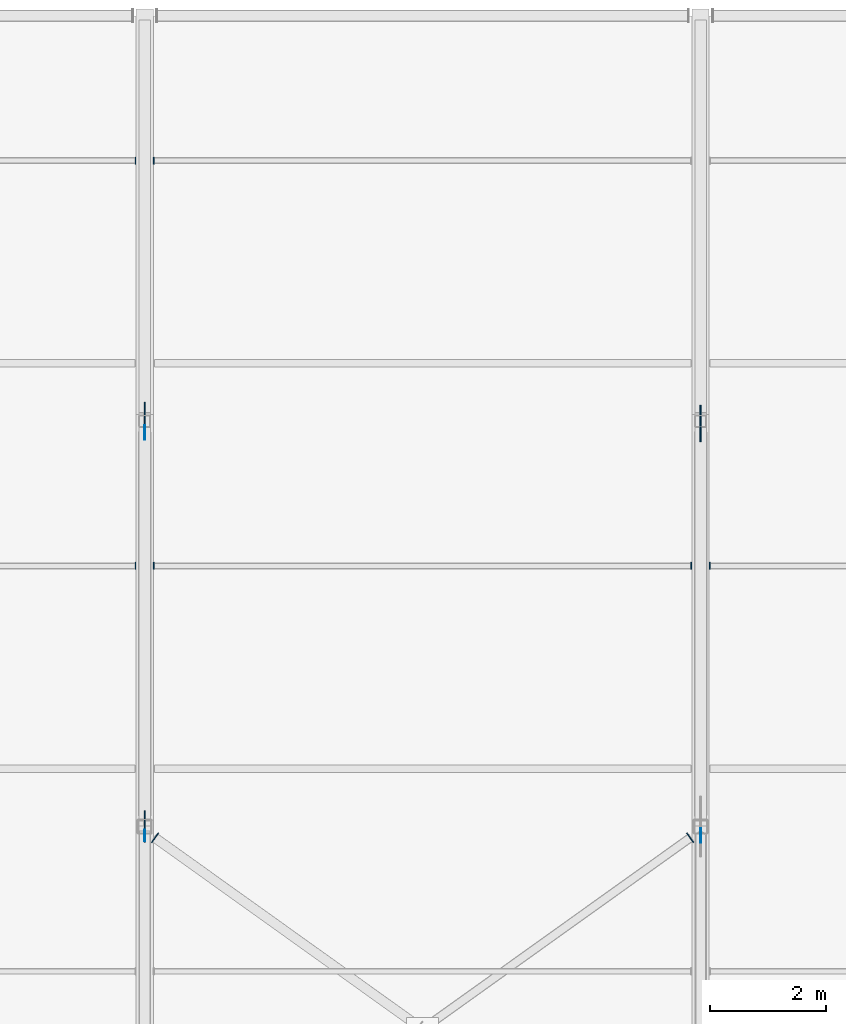
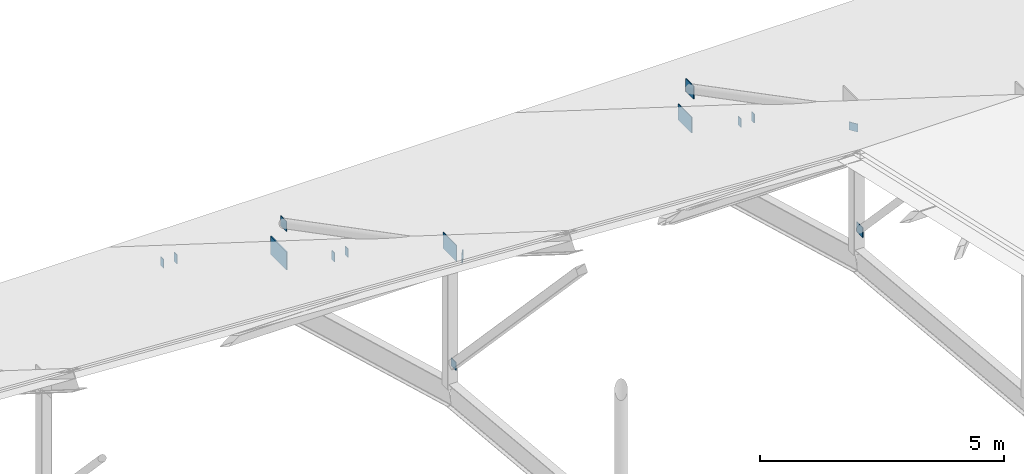
# One storey, part 52 of 66: 15 plates.
"""IFC4 building model written with IfcOpenShell, lengths in metres."""

from ifc_helpers import new_model, si_unit, direction, frame, origin, origin_2d, place, context, subcontext, project, spatial, rectangle, extrude, material, layer, layer_set, type_object, element, save


model = new_model("IFC4")

# Units and contexts
model_context = context("Model", 3, precision=1e-05, world=origin(), true_north=direction((0.0, 1.0)))
body_context = subcontext(model_context, "Body", "Model", "MODEL_VIEW")
ifc_project = project(units=[si_unit("LENGTHUNIT", "METRE"), si_unit("AREAUNIT", "SQUARE_METRE"), si_unit("VOLUMEUNIT", "CUBIC_METRE"), si_unit("PLANEANGLEUNIT", "RADIAN"), si_unit("MASSUNIT", "GRAM", prefix="KILO")], contexts=[model_context])

# Site, building, storey
site_placement = place(None, origin())
site = spatial("IfcSite", under=ifc_project, at=site_placement, CompositionType="ELEMENT")
building_placement = place(site_placement, origin())
building = spatial("IfcBuilding", under=site, at=building_placement, Name="Yeouljin Market Hall", CompositionType="ELEMENT")
storey_placement = place(building_placement, frame((0.0, 0.0, 23.39990234375)))
storey = spatial("IfcBuildingStorey", under=building, at=storey_placement, Name="RF", CompositionType="ELEMENT", Elevation=23.39990234375)

# Plates
ifc_material_1 = material(Name="Steel SM355", Category="steel")
ifc_layer_1 = layer(ifc_material_1, 0.01611328125)
ifc_layer_set_1 = layer_set([ifc_layer_1], Name="Steel SM355")
plate_type_1 = type_object("IfcPlateType", Name="CapPlate_200x200x16", PredefinedType="SHEET", material=ifc_layer_set_1)
for number, where, z_axis, x_axis, name in (
    (1, (64.199951171875, 63.848876953125, -6.43994140625), (0.0, 0.0, 1.0), (0.0, 1.0, 0.0), "Hollow web end-cap plate 0015"),
    (2, (73.6201171875, 63.80419921875, -3.78271484375), (0.0, 0.0, 1.0), (-0.581697151818, 0.813405448449, 0.0), "Wind brace end-cap plate 0128"),
    (3, (64.3798828125, 63.80419921875, -3.78271484375), (0.0, 0.0, 1.0), (0.581697151818, 0.813405448449, 0.0), "Wind brace end-cap plate 0129"),
):
    element("IfcPlate", number, at=place(storey_placement, frame(where, z_axis=z_axis, x_axis=x_axis)), inside=storey, type_object=plate_type_1, Name=name, PredefinedType="SHEET", context=body_context, shape_type="SweptSolid", body=[
        extrude(rectangle(XDim=0.199951171875, YDim=0.01611328125, at=origin_2d()), origin(), (0.0, 0.0, 1.0), 0.199951171875),
    ])
ifc_material_2 = material(Name="Steel SM355", Category="steel")
ifc_layer_2 = layer(ifc_material_2, 0.01611328125)
ifc_layer_set_2 = layer_set([ifc_layer_2], Name="Steel SM355")
plate_type_2 = type_object("IfcPlateType", Name="CapPlate_220x120x16", PredefinedType="SHEET", material=ifc_layer_set_2)
for number, where, z_axis, x_axis, name in (
    (4, (64.0419921875, 68.5, -6.5185546875), (0.0, 0.0, 1.0), (0.0, 1.0, 0.0), "Purlin end-cap plate 0106"),
    (5, (64.0419921875, 75.5, -10.91845703125), (0.0, 0.0, 1.0), (0.0, 1.0, 0.0), "Purlin end-cap plate 0108"),
    (6, (64.35791015625, 68.5, -6.5185546875), (0.0, 0.0, 1.0), (0.0, 1.0, 0.0), "Purlin end-cap plate 0117"),
    (7, (73.64208984375, 68.5, -6.5185546875), (0.0, 0.0, 1.0), (0.0, 1.0, 0.0), "Purlin end-cap plate 0118"),
    (8, (64.35791015625, 75.5, -10.91845703125), (0.0, 0.0, 1.0), (0.0, 1.0, 0.0), "Purlin end-cap plate 0119"),
    (9, (73.9580078125, 68.5, -6.5185546875), (0.0, 0.0, 1.0), (0.0, 1.0, 0.0), "Purlin end-cap plate 0141"),
):
    element("IfcPlate", number, at=place(storey_placement, frame(where, z_axis=z_axis, x_axis=x_axis)), inside=storey, type_object=plate_type_2, Name=name, PredefinedType="SHEET", context=body_context, shape_type="SweptSolid", body=[
        extrude(rectangle(XDim=0.1201171875, YDim=0.01611328125, at=origin_2d()), origin(), (0.0, 0.0, 1.0), 0.219970703125),
    ])
ifc_material_3 = material(Name="Steel SM355", Category="steel")
ifc_layer_3 = layer(ifc_material_3, 0.01611328125)
ifc_layer_set_3 = layer_set([ifc_layer_3], Name="Steel SM355")
plate_type_3 = type_object("IfcPlateType", Name="CapPlate_250x250x16", PredefinedType="SHEET", material=ifc_layer_set_3)
for number, where, z_axis, x_axis, name in (
    (10, (64.199951171875, 70.804931640625, -7.167724609375), (0.0, 0.0, 1.0), (0.0, 1.0, 0.0), "Hollow web end-cap plate 0016"),
    (11, (73.800048828125, 63.848876953125, -6.465087890625), (0.0, 0.0, 1.0), (0.0, 1.0, 0.0), "Hollow web end-cap plate 0019"),
):
    element("IfcPlate", number, at=place(storey_placement, frame(where, z_axis=z_axis, x_axis=x_axis)), inside=storey, type_object=plate_type_3, Name=name, PredefinedType="SHEET", context=body_context, shape_type="SweptSolid", body=[
        extrude(rectangle(XDim=0.25, YDim=0.01611328125, at=origin_2d()), origin(), (0.0, 0.0, 1.0), 0.25),
    ])
ifc_material_4 = material(Name="Steel SM355", Category="steel")
ifc_layer_4 = layer(ifc_material_4, 0.02001953125)
ifc_layer_set_4 = layer_set([ifc_layer_4], Name="Steel SM355")
plate_type_4 = type_object("IfcPlateType", Name="CapPlate_320x320x20", PredefinedType="SHEET", material=ifc_layer_set_4)
plate_1_placement = place(storey_placement, frame((73.800048828125, 70.804931640625, -7.20263671875), z_axis=(0.0, 0.0, 1.0), x_axis=(0.0, 1.0, 0.0)))
element("IfcPlate", 12, at=plate_1_placement, inside=storey, type_object=plate_type_4, Name="Hollow web end-cap plate 0020", PredefinedType="SHEET", context=body_context, shape_type="SweptSolid", body=[
    extrude(rectangle(XDim=0.320068359375, YDim=0.02001953125, at=origin_2d()), origin(), (0.0, 0.0, 1.0), 0.320068359375),
])
ifc_material_5 = material(Name="Steel SM355", Category="steel")
ifc_layer_5 = layer(ifc_material_5, 0.02001953125)
ifc_layer_set_5 = layer_set([ifc_layer_5], Name="Steel SM355")
plate_type_5 = type_object("IfcPlateType", Name="GussetPlate_550x400x20", PredefinedType="USERDEFINED", material=ifc_layer_set_5)
for number, where, z_axis, x_axis, name in (
    (13, (64.199951171875, 64.0, -3.699951171875), (0.0, 0.0, 1.0), (0.0, 1.0, 0.0), "Truss node gusset plate 019"),
    (14, (73.800048828125, 71.0, -8.099853515625), (0.0, 0.0, 1.0), (0.0, 1.0, 0.0), "Truss node gusset plate 025"),
):
    element("IfcPlate", number, at=place(storey_placement, frame(where, z_axis=z_axis, x_axis=x_axis)), inside=storey, type_object=plate_type_5, Name=name, ObjectType="GUSSET PLATE", PredefinedType="USERDEFINED", context=body_context, shape_type="SweptSolid", body=[
        extrude(rectangle(XDim=0.550048828125, YDim=0.02001953125, at=origin_2d()), origin(), (0.0, 0.0, 1.0), 0.39990234375),
    ])
ifc_material_6 = material(Name="Steel SM355", Category="steel")
ifc_layer_6 = layer(ifc_material_6, 0.02197265625)
ifc_layer_set_6 = layer_set([ifc_layer_6], Name="Steel SM355")
plate_type_6 = type_object("IfcPlateType", Name="GussetPlate_650x450x22", PredefinedType="USERDEFINED", material=ifc_layer_set_6)
plate_2_placement = place(storey_placement, frame((64.199951171875, 71.0, -8.125), z_axis=(0.0, 0.0, 1.0), x_axis=(0.0, 1.0, 0.0)))
element("IfcPlate", 15, at=plate_2_placement, inside=storey, type_object=plate_type_6, Name="Truss node gusset plate 020", ObjectType="GUSSET PLATE", PredefinedType="USERDEFINED", context=body_context, shape_type="SweptSolid", body=[
    extrude(rectangle(XDim=0.64990234375, YDim=0.02197265625, at=origin_2d()), origin(), (0.0, 0.0, 1.0), 0.449951171875),
])

save(model, "model.ifc")
